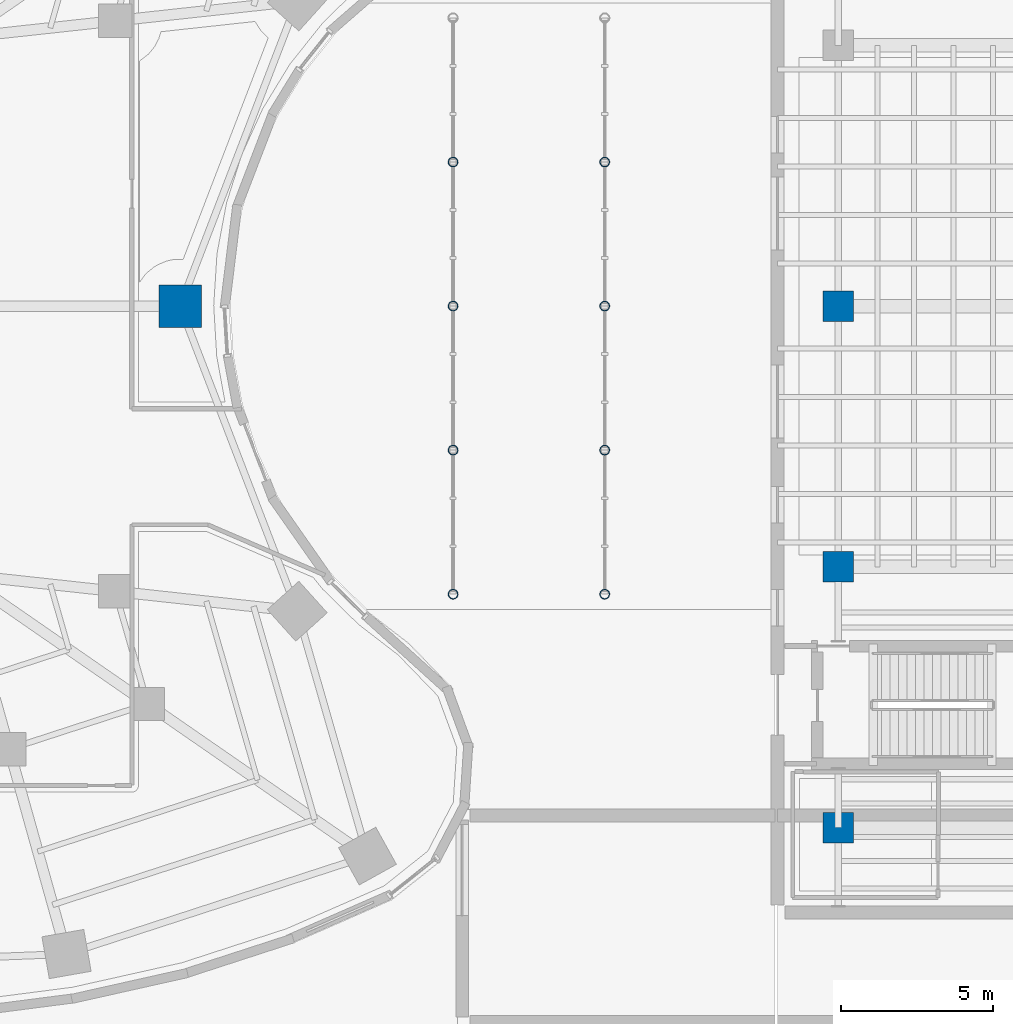
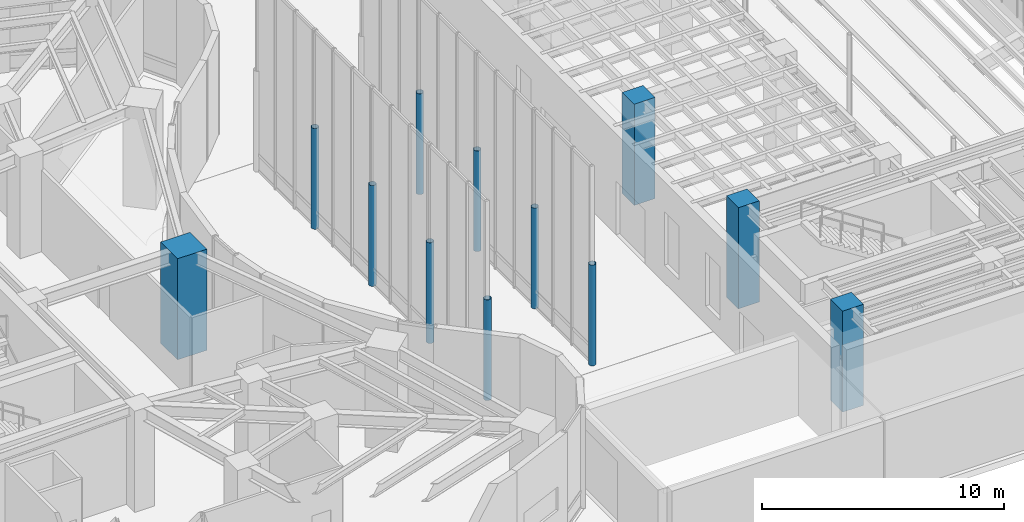
# One storey, part 2 of 28: 12 columns.
"""IFC4 building model written with IfcOpenShell, lengths in metres."""

from ifc_helpers import new_model, si_unit, direction, frame, origin, origin_2d, place, context, subcontext, project, spatial, rectangle, hollow_circle, extrude, material, material_profile, profile_set, type_object, element, save


model = new_model("IFC4")

# Units and contexts
model_context = context("Model", 3, precision=1e-05, world=origin(), true_north=direction((0.0, 1.0)))
body_context = subcontext(model_context, "Body", "Model", "MODEL_VIEW")
ifc_project = project(units=[si_unit("LENGTHUNIT", "METRE"), si_unit("AREAUNIT", "SQUARE_METRE"), si_unit("VOLUMEUNIT", "CUBIC_METRE"), si_unit("PLANEANGLEUNIT", "RADIAN"), si_unit("MASSUNIT", "GRAM", prefix="KILO")], contexts=[model_context])

# Site, building, storey
site_placement = place(None, origin())
site = spatial("IfcSite", under=ifc_project, at=site_placement, CompositionType="ELEMENT")
building_placement = place(site_placement, origin())
building = spatial("IfcBuilding", under=site, at=building_placement, Name="Korentha Bioscience Tower", CompositionType="ELEMENT")
storey_placement = place(building_placement, origin())
storey = spatial("IfcBuildingStorey", under=building, at=storey_placement, Name="L00", CompositionType="ELEMENT", Elevation=0.0)

# Columns
ifc_material_1 = material(Name="Steel S355", Category="steel")
ifc_material_profile_1 = material_profile(ifc_material_1, hollow_circle(Radius=0.161865234375, WallThickness=0.01611328125, at=origin_2d()), Name="Steel S355")
ifc_profile_set_1 = profile_set([ifc_material_profile_1], Name="Steel S355 (AC-01)")
column_type_1 = type_object("IfcColumnType", Name="Arcade Portal Column CHS 323.9x16", PredefinedType="COLUMN", material=ifc_profile_set_1)
for number, where, z_axis, x_axis, name in (
    (1, (58.800048828125, 17.5, -0.00048828125), (0.0, 0.0, 1.0), (1.0, 0.0, 0.0), "L00 Covered Arcade Column AC-01"),
    (2, (53.800048828125, 17.5, -0.00048828125), (0.0, 0.0, 1.0), (1.0, 0.0, 0.0), "L00 Arcade West Column ACW-01"),
    (3, (58.800048828125, 22.25, -0.00048828125), (0.0, 0.0, 1.0), (1.0, 0.0, 0.0), "L00 Covered Arcade Column AC-02"),
    (4, (53.800048828125, 22.25, -0.00048828125), (0.0, 0.0, 1.0), (1.0, 0.0, 0.0), "L00 Arcade West Column ACW-02"),
    (5, (58.800048828125, 27.0, -0.00048828125), (0.0, 0.0, 1.0), (1.0, 0.0, 0.0), "L00 Covered Arcade Column AC-03"),
    (6, (53.800048828125, 27.0, -0.00048828125), (0.0, 0.0, 1.0), (1.0, 0.0, 0.0), "L00 Arcade West Column ACW-03"),
    (7, (58.800048828125, 31.75, -0.00048828125), (0.0, 0.0, 1.0), (1.0, 0.0, 0.0), "L00 Covered Arcade Column AC-04"),
    (8, (53.800048828125, 31.75, -0.00048828125), (0.0, 0.0, 1.0), (1.0, 0.0, 0.0), "L00 Arcade West Column ACW-04"),
):
    element("IfcColumn", number, at=place(storey_placement, frame(where, z_axis=z_axis, x_axis=x_axis)), inside=storey, type_object=column_type_1, Name=name, PredefinedType="COLUMN", context=body_context, shape_type="SweptSolid", body=[
        extrude(hollow_circle(Radius=0.161865234375, WallThickness=0.01611328125, at=origin_2d()), origin(), (0.0, 0.0, 1.0), 5.08056640625),
    ])
ifc_material_2 = material(Name="Concrete C80", Category="concrete")
ifc_material_profile_2 = material_profile(ifc_material_2, rectangle(XDim=1.39990234375, YDim=1.39990234375, at=origin_2d()), Name="Concrete C80")
ifc_profile_set_2 = profile_set([ifc_material_profile_2], Name="Concrete C80 (COL-P14)")
column_type_2 = type_object("IfcColumnType", Name="Perimeter Column RC 1400x1400", PredefinedType="COLUMN", material=ifc_profile_set_2)
column_placement = place(storey_placement, frame((44.798583984375, 27.0, -0.00048828125), z_axis=(0.0, 0.0, 1.0), x_axis=(0.0, 1.0, 0.0)))
element("IfcColumn", 9, at=column_placement, inside=storey, type_object=column_type_2, Name="L00 Perimeter Column 15", PredefinedType="COLUMN", context=body_context, shape_type="SweptSolid", body=[
    extrude(rectangle(XDim=1.39990234375, YDim=1.39990234375, at=origin_2d()), origin(), (0.0, 0.0, 1.0), 5.10107421875),
])
ifc_material_3 = material(Name="Concrete C50", Category="concrete")
ifc_material_profile_3 = material_profile(ifc_material_3, rectangle(XDim=1.0, YDim=1.0, at=origin_2d()), Name="Concrete C50")
ifc_profile_set_3 = profile_set([ifc_material_profile_3], Name="Concrete C50 (TC-01)")
column_type_3 = type_object("IfcColumnType", Name="Theatre Primary Column RC 1000x1000", PredefinedType="COLUMN", material=ifc_profile_set_3)
for number, where, z_axis, x_axis, name in (
    (10, (66.5, 9.800048828125, 0.0), (0.0, 0.0, 1.0), (1.0, 0.0, 0.0), "L00 Theatre Column 1-1"),
    (11, (66.5, 18.39990234375, 0.0), (0.0, 0.0, 1.0), (1.0, 0.0, 0.0), "L00 Theatre Column 1-2"),
    (12, (66.5, 27.0, 0.0), (0.0, 0.0, 1.0), (1.0, 0.0, 0.0), "L00 Theatre Column 1-3"),
):
    element("IfcColumn", number, at=place(storey_placement, frame(where, z_axis=z_axis, x_axis=x_axis)), inside=storey, type_object=column_type_3, Name=name, PredefinedType="COLUMN", context=body_context, shape_type="SweptSolid", body=[
        extrude(rectangle(XDim=1.0, YDim=1.0, at=origin_2d()), origin(), (0.0, 0.0, 1.0), 5.10009765625),
    ])

save(model, "model.ifc")
